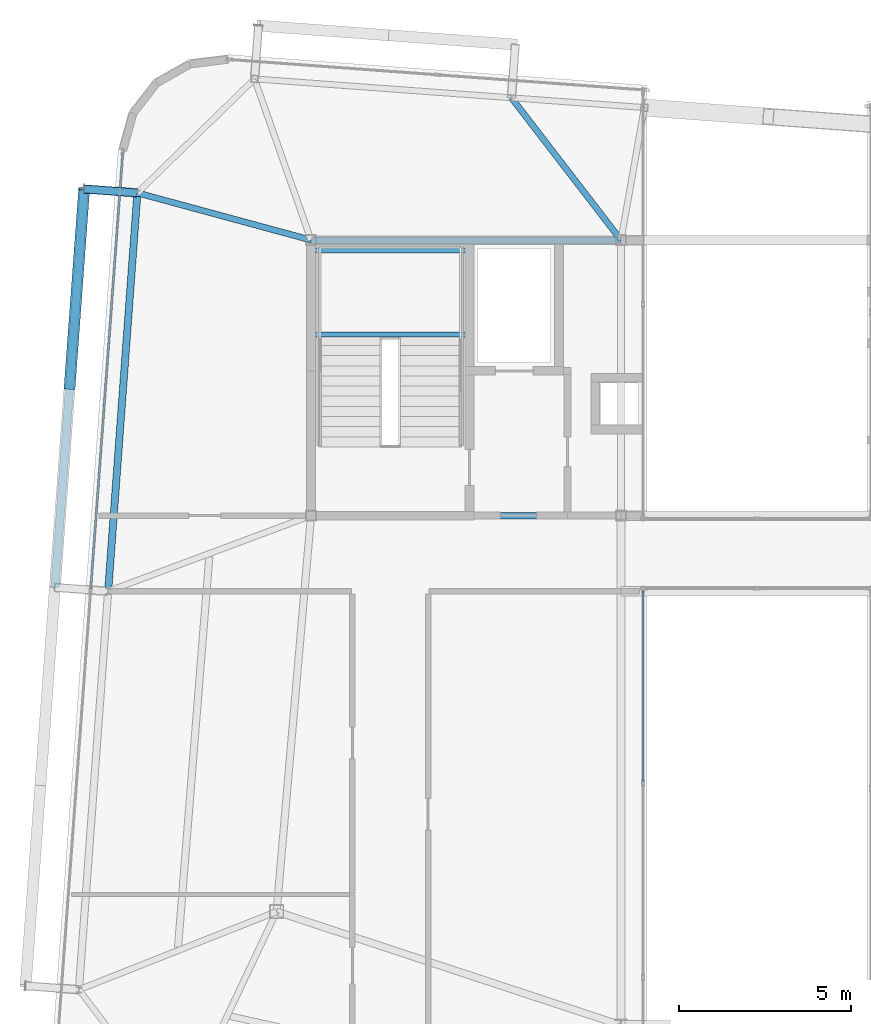
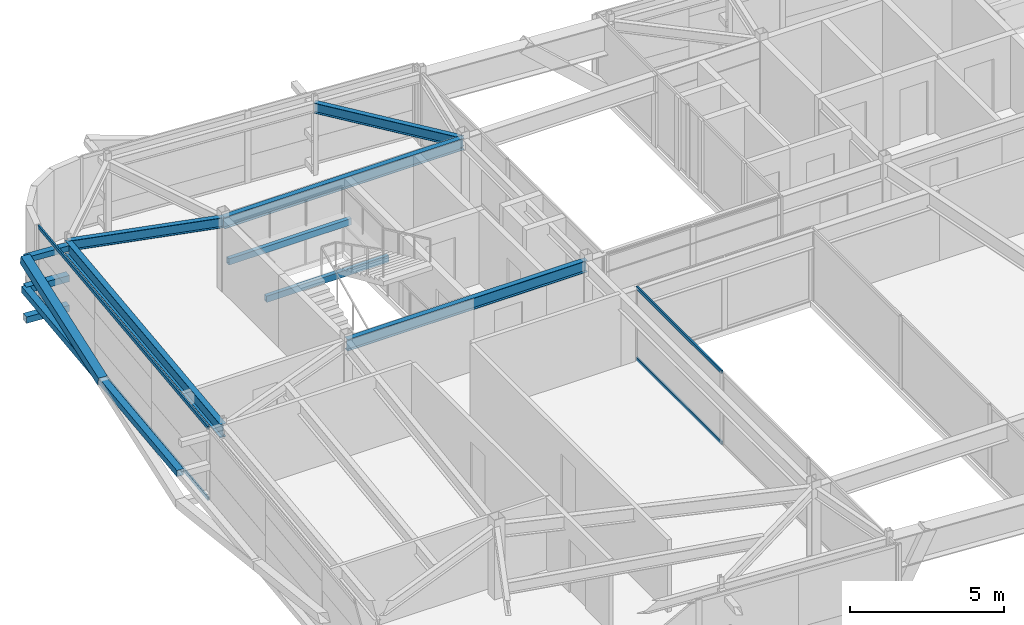
# One storey, part 16 of 40: 9 members, 7 beams, 2 elements without a shape of their own.
"""IFC4 building model written with IfcOpenShell, lengths in metres."""

from ifc_helpers import new_model, si_unit, direction, frame, origin, origin_2d, place, context, subcontext, project, spatial, hollow_rectangle, i_section, extrude, source, transform, mapped, material, layer, layer_set, material_profile, profile_set, type_object, element, aggregate, save


model = new_model("IFC4")

# Units and contexts
model_context = context("Model", 3, precision=1e-05, world=origin(), true_north=direction((0.0, 1.0)))
body_context = subcontext(model_context, "Body", "Model", "MODEL_VIEW")
ifc_project = project(units=[si_unit("LENGTHUNIT", "METRE"), si_unit("AREAUNIT", "SQUARE_METRE"), si_unit("VOLUMEUNIT", "CUBIC_METRE"), si_unit("PLANEANGLEUNIT", "RADIAN"), si_unit("MASSUNIT", "GRAM", prefix="KILO")], contexts=[model_context])

# Site, building, storey
site_placement = place(None, origin())
site = spatial("IfcSite", under=ifc_project, at=site_placement, CompositionType="ELEMENT")
building_placement = place(site_placement, origin())
building = spatial("IfcBuilding", under=site, at=building_placement, Name="Taldren Reach Tower", CompositionType="ELEMENT")
storey_placement = place(building_placement, frame((0.0, 0.0, 233.449951171875)))
storey = spatial("IfcBuildingStorey", under=building, at=storey_placement, Name="L71", CompositionType="ELEMENT", Elevation=233.449951171875)

# Beams
ifc_material_1 = material(Name="Steel Gr 350 (350PLUS)", Category="steel")
ifc_material_profile_1 = material_profile(ifc_material_1, i_section(OverallWidth=0.19091796875, OverallDepth=0.4599609375, WebThickness=0.010009765625, FlangeThickness=0.01611328125, at=origin_2d()), Name="460UB82.1")
ifc_profile_set_1 = profile_set([ifc_material_profile_1], Name="Steel Gr 350 (350PLUS)")
beam_type_1 = type_object("IfcBeamType", Name="BM-UB460A", PredefinedType="BEAM", material=ifc_profile_set_1)
shared_shape_1 = source(origin(), body_context, "Body", "SweptSolid", [
    extrude(i_section(OverallWidth=0.19091796875, OverallDepth=0.4599609375, WebThickness=0.010009765625, FlangeThickness=0.01611328125, at=origin_2d()), origin(), (0.0, 0.0, 1.0), 9.0),
])
for number, where, z_axis, x_axis, name in (
    (1, (19.0, 24.0, 2.64013671875), (1.0, 0.0, 0.0), (0.0, 1.0, 0.0), "Core-spine girder L71-SP01"),
    (2, (19.0, 32.0, 2.64013671875), (1.0, 0.0, 0.0), (0.0, 1.0, 0.0), "Core-spine girder L71-SP04"),
):
    element("IfcBeam", number, at=place(storey_placement, frame(where, z_axis=z_axis, x_axis=x_axis)), inside=storey, type_object=beam_type_1, Name=name, PredefinedType="BEAM", context=body_context, shape_type="MappedRepresentation", body=[
        mapped(shared_shape_1, transform((0.0, 0.0, 0.0), scale=1.0)),
    ])
ifc_material_profile_2 = material_profile(ifc_material_1, i_section(OverallWidth=0.208984375, OverallDepth=0.528076171875, WebThickness=0.009521484375, FlangeThickness=0.01318359375, at=origin_2d()), Name="530UB82.0")
ifc_profile_set_2 = profile_set([ifc_material_profile_2], Name="Steel Gr 350 (350PLUS)")
beam_type_2 = type_object("IfcBeamType", Name="SP-UB530B", PredefinedType="SPANDREL", material=ifc_profile_set_2)
shared_shape_2 = source(origin(), body_context, "Body", "SweptSolid", [
    extrude(i_section(OverallWidth=0.208984375, OverallDepth=0.528076171875, WebThickness=0.009521484375, FlangeThickness=0.01318359375, at=origin_2d()), origin(), (0.0, 0.0, 1.0), 11.60009765625),
])
beam_1_placement = place(storey_placement, frame((13.958251953125, 33.369140625, 2.60595703125), z_axis=(-0.073242167855, -0.997314185625, 0.0), x_axis=(0.997314185625, -0.073242167855, 0.0)))
element("IfcBeam", 3, at=beam_1_placement, inside=storey, type_object=beam_type_2, Name="Perimeter spandrel B5 W3-W2 L71", PredefinedType="SPANDREL", context=body_context, shape_type="MappedRepresentation", body=[
    mapped(shared_shape_2, transform((0.0, 0.0, 0.0), scale=1.0)),
])
ifc_material_profile_3 = material_profile(ifc_material_1, i_section(OverallWidth=0.177978515625, OverallDepth=0.406005859375, WebThickness=0.0078125, FlangeThickness=0.0126953125, at=origin_2d()), Name="410UB59.7")
ifc_profile_set_3 = profile_set([ifc_material_profile_3], Name="Steel Gr 350 (350PLUS)")
beam_type_3 = type_object("IfcBeamType", Name="BM-UB410", PredefinedType="BEAM", material=ifc_profile_set_3)
shared_shape_3 = source(origin(), body_context, "Body", "SweptSolid", [
    extrude(i_section(OverallWidth=0.177978515625, OverallDepth=0.406005859375, WebThickness=0.0078125, FlangeThickness=0.0126953125, at=origin_2d()), origin(), (0.0, 0.0, 1.0), 5.213623046875),
])
beam_2_placement = place(storey_placement, frame((28.0, 32.0, 2.6669921875), z_axis=(-0.61002980411, 0.792378468976, 0.0), x_axis=(-0.792378468976, -0.61002980411, 0.0)))
element("IfcBeam", 4, at=beam_2_placement, inside=storey, type_object=beam_type_3, Name="Primary floor girder B5-N2 L71", PredefinedType="BEAM", context=body_context, shape_type="MappedRepresentation", body=[
    mapped(shared_shape_3, transform((0.0, 0.0, 0.0), scale=1.0)),
])
shared_shape_4 = source(origin(), body_context, "Body", "SweptSolid", [
    extrude(i_section(OverallWidth=0.177978515625, OverallDepth=0.406005859375, WebThickness=0.0078125, FlangeThickness=0.0126953125, at=origin_2d()), origin(), (0.0, 0.0, 1.0), 5.224365234375),
])
beam_3_placement = place(storey_placement, frame((19.0, 32.0, 2.6669921875), z_axis=(-0.965049032336, 0.262069390022, 0.0), x_axis=(-0.262069390022, -0.965049032336, 0.0)))
element("IfcBeam", 5, at=beam_3_placement, inside=storey, type_object=beam_type_3, Name="Primary floor girder B5-W3 L71", PredefinedType="BEAM", context=body_context, shape_type="MappedRepresentation", body=[
    mapped(shared_shape_4, transform((0.0, 0.0, 0.0), scale=1.0)),
])

# Members
ifc_material_2 = material(Name="Steel Gr 450 (C450L0)", Category="steel")
ifc_material_profile_4 = material_profile(ifc_material_2, hollow_rectangle(XDim=0.219970703125, YDim=0.219970703125, WallThickness=0.00830078125, at=origin_2d()), Name="220x220x8.2SHS")
ifc_profile_set_4 = profile_set([ifc_material_profile_4], Name="Steel Gr 450 (C450L0)")
member_type_1 = type_object("IfcMemberType", Name="MB-TIE219", PredefinedType="STRUT", material=ifc_profile_set_4)
shared_shape_5 = source(origin(), body_context, "Body", "SweptSolid", [
    extrude(hollow_rectangle(XDim=0.219970703125, YDim=0.219970703125, WallThickness=0.00830078125, at=origin_2d()), origin(), (0.0, 0.0, 1.0), 1.5458984375),
])
member_1_placement = place(storey_placement, frame((13.9541015625, 33.369384765625, 2.590087890625), z_axis=(-0.997311530447, 0.073278313559, 0.0), x_axis=(-0.073278313559, -0.997311530447, 0.0)))
element("IfcMember", 6, at=member_1_placement, inside=storey, type_object=member_type_1, Name="Exoskeleton diaphragm tie strut B5-W3 L71", PredefinedType="STRUT", context=body_context, shape_type="MappedRepresentation", body=[
    mapped(shared_shape_5, transform((0.0, 0.0, 0.0), scale=1.0)),
])
ifc_material_3 = material(Name="Steel Gr 350 (C350L0)", Category="steel")
ifc_material_profile_5 = material_profile(ifc_material_3, hollow_rectangle(XDim=0.25, YDim=0.25, WallThickness=0.010009765625, at=origin_2d()), Name="250x250x10.0SHS")
ifc_profile_set_5 = profile_set([ifc_material_profile_5], Name="Steel Gr 350 (C350L0)")
member_type_2 = type_object("IfcMemberType", Name="MB-POST250", PredefinedType="POST", material=ifc_profile_set_5)
shared_shape_6 = source(origin(), body_context, "Body", "SweptSolid", [
    extrude(hollow_rectangle(XDim=0.25, YDim=0.25, WallThickness=0.010009765625, at=origin_2d()), origin(), (0.0, 0.0, 1.0), 11.60009765625),
])
member_2_placement = place(storey_placement, frame((11.562744140625, 21.913818359375, 1.405029296875), z_axis=(0.073242167855, 0.997314185625, 0.0), x_axis=(-0.997314185625, 0.073242167855, 0.0)))
element("IfcMember", 7, at=member_2_placement, inside=storey, type_object=member_type_2, Name="Exoskeleton mid-height ring chord B5-W2 L71", PredefinedType="POST", context=body_context, shape_type="MappedRepresentation", body=[
    mapped(shared_shape_6, transform((0.0, 0.0, 0.0), scale=1.0)),
])
shared_shape_7 = source(origin(), body_context, "Body", "SweptSolid", [
    extrude(hollow_rectangle(XDim=0.25, YDim=0.25, WallThickness=0.010009765625, at=origin_2d()), origin(), (0.0, 0.0, 1.0), 1.5458984375),
])
for number, where, z_axis, x_axis, name in (
    (8, (13.9541015625, 33.369384765625, 0.219970703125), (-0.997311530447, 0.073278313559, 0.0), (-0.073278313559, -0.997311530447, 0.0), "Exoskeleton base diaphragm tie strut B5-W3 L71"),
    (9, (13.9541015625, 33.369384765625, 1.405029296875), (-0.997311530447, 0.073278313559, 0.0), (-0.073278313559, -0.997311530447, 0.0), "Exoskeleton mid-tier diaphragm tie B5-W3 L71"),
):
    element("IfcMember", number, at=place(storey_placement, frame(where, z_axis=z_axis, x_axis=x_axis)), inside=storey, type_object=member_type_2, Name=name, PredefinedType="POST", context=body_context, shape_type="MappedRepresentation", body=[
        mapped(shared_shape_7, transform((0.0, 0.0, 0.0), scale=1.0)),
    ])
ifc_material_profile_6 = material_profile(ifc_material_2, hollow_rectangle(XDim=0.324951171875, YDim=0.324951171875, WallThickness=0.0126953125, at=origin_2d()), Name="325x325x12.7SHS")
ifc_profile_set_6 = profile_set([ifc_material_profile_6], Name="Steel Gr 450 (C450L0)")
member_type_3 = type_object("IfcMemberType", Name="MB-BR324", PredefinedType="BRACE", material=ifc_profile_set_6)
shared_shape_8 = source(origin(), body_context, "Body", "SweptSolid", [
    extrude(hollow_rectangle(XDim=0.324951171875, YDim=0.324951171875, WallThickness=0.0126953125, at=origin_2d()), origin(), (0.0, 0.0, 1.0), 5.919921875),
])
member_3_placement = place(storey_placement, frame((11.987548828125, 27.6982421875, 1.405029296875), z_axis=(0.071759614668, 0.977126753058, 0.200184580228), x_axis=(-0.997314185625, 0.073242167855, 0.0)))
element("IfcMember", 10, at=member_3_placement, inside=storey, type_object=member_type_3, Name="Exoskeleton Diagrid Brace B5-W2 L71", PredefinedType="BRACE", context=body_context, shape_type="MappedRepresentation", body=[
    mapped(shared_shape_8, transform((0.0, 0.0, 0.0), scale=1.0)),
])

# Curtain wall, members
ifc_material_4 = material(Name="Aluminium and Low-E Glass Unitised System", Category="aluminium")
ifc_layer = layer(ifc_material_4, 0.159912109375)
ifc_layer_set = layer_set([ifc_layer], Name="Aluminium and Low-E Glass Unitised System")
curtain_wall_type = type_object("IfcCurtainWallType", Name="CW-SYS-7", PredefinedType="NOTDEFINED", material=ifc_layer_set)
curtain_wall_1_placement = place(storey_placement, origin())
curtain_wall_1 = element("IfcCurtainWall", 11, at=curtain_wall_1_placement, inside=storey, type_object=curtain_wall_type, Name="Unitised curtain wall CW-L71-W", PredefinedType="NOTDEFINED")
ifc_material_5 = material(Name="Anodised Aluminium 6063-T6", Category="aluminium")
ifc_material_profile_7 = material_profile(ifc_material_5, hollow_rectangle(XDim=0.06005859375, YDim=0.135009765625, WallThickness=0.00341796875, at=origin_2d()), Name="ALU-135x60x3.5RHS")
ifc_profile_set_7 = profile_set([ifc_material_profile_7], Name="Anodised Aluminium 6063-T6")
member_type_4 = type_object("IfcMemberType", Name="CW-TRN-150", PredefinedType="USERDEFINED", material=ifc_profile_set_7)
shared_shape_9 = source(origin(), body_context, "Body", "SweptSolid", [
    extrude(hollow_rectangle(XDim=0.06005859375, YDim=0.135009765625, WallThickness=0.00341796875, at=origin_2d()), origin(), (0.0, 0.0, 1.0), 12.6875),
])
member_4_placement = place(storey_placement, frame((13.531982421875, 34.5283203125, 0.030029296875), z_axis=(-0.073237997916, -0.997314491854, 0.0), x_axis=(0.997314491854, -0.073237997916, 0.0)))
member_4 = element("IfcMember", 12, at=member_4_placement, type_object=member_type_4, Name="CW-7 transom 1.1", ObjectType="TRANSOM", PredefinedType="USERDEFINED", context=body_context, shape_type="MappedRepresentation", body=[
    mapped(shared_shape_9, transform((0.0, 0.0, 0.0), scale=1.0)),
])
member_5_placement = place(storey_placement, frame((13.531982421875, 34.5283203125, 2.840087890625), z_axis=(-0.073237997916, -0.997314491854, 0.0), x_axis=(0.997314491854, -0.073237997916, 0.0)))
member_5 = element("IfcMember", 13, at=member_5_placement, type_object=member_type_4, Name="CW-7 transom 1.2", ObjectType="TRANSOM", PredefinedType="USERDEFINED", context=body_context, shape_type="MappedRepresentation", body=[
    mapped(shared_shape_9, transform((0.0, 0.0, 0.0), scale=1.0)),
])
aggregate(curtain_wall_1, [member_4, member_5])

curtain_wall_2_placement = place(storey_placement, origin())
curtain_wall_2 = element("IfcCurtainWall", 14, at=curtain_wall_2_placement, inside=storey, type_object=curtain_wall_type, Name="Unitised curtain wall CW7-L71-PSW", PredefinedType="NOTDEFINED")
shared_shape_10 = source(origin(), body_context, "Body", "SweptSolid", [
    extrude(hollow_rectangle(XDim=0.06005859375, YDim=0.135009765625, WallThickness=0.00341796875, at=origin_2d()), origin(), (0.0, 0.0, 1.0), 5.531005859375),
])
member_6_placement = place(storey_placement, frame((28.639892578125, 16.27392578125, 0.030029296875), z_axis=(0.0, 1.0, 0.0), x_axis=(-1.0, 0.0, 0.0)))
member_6 = element("IfcMember", 15, at=member_6_placement, type_object=member_type_4, Name="CW-7 transom 3.1", ObjectType="TRANSOM", PredefinedType="USERDEFINED", context=body_context, shape_type="MappedRepresentation", body=[
    mapped(shared_shape_10, transform((0.0, 0.0, 0.0), scale=1.0)),
])
member_7_placement = place(storey_placement, frame((28.639892578125, 16.27392578125, 2.840087890625), z_axis=(0.0, 1.0, 0.0), x_axis=(-1.0, 0.0, 0.0)))
member_7 = element("IfcMember", 16, at=member_7_placement, type_object=member_type_4, Name="CW-7 transom 3.2", ObjectType="TRANSOM", PredefinedType="USERDEFINED", context=body_context, shape_type="MappedRepresentation", body=[
    mapped(shared_shape_10, transform((0.0, 0.0, 0.0), scale=1.0)),
])
aggregate(curtain_wall_2, [member_6, member_7])

# Beams
ifc_material_profile_8 = material_profile(ifc_material_3, hollow_rectangle(XDim=0.14990234375, YDim=0.25, WallThickness=0.009033203125, at=origin_2d()), Name="250x150x9.0RHS")
ifc_profile_set_8 = profile_set([ifc_material_profile_8], Name="Steel Gr 350 (C350L0)")
beam_type_4 = type_object("IfcBeamType", Name="LN-RHS250", PredefinedType="LINTEL", material=ifc_profile_set_8)
shared_shape_11 = source(origin(), body_context, "Body", "SweptSolid", [
    extrude(hollow_rectangle(XDim=0.14990234375, YDim=0.25, WallThickness=0.009033203125, at=origin_2d()), origin(), (0.0, 0.0, 1.0), 4.60009765625),
])
for number, where, z_axis, x_axis, name in (
    (17, (19.0, 29.2548828125, 1.27001953125), (1.0, 0.0, 0.0), (0.0, 1.0, 0.0), "Stair half-landing support beam ST1-L71-1"),
    (18, (19.0, 31.699951171875, 1.27001953125), (1.0, 0.0, 0.0), (0.0, 1.0, 0.0), "Stair half-landing support beam ST1-L71-2"),
):
    element("IfcBeam", number, at=place(storey_placement, frame(where, z_axis=z_axis, x_axis=x_axis)), inside=storey, type_object=beam_type_4, Name=name, PredefinedType="LINTEL", context=body_context, shape_type="MappedRepresentation", body=[
        mapped(shared_shape_11, transform((0.0, 0.0, 0.0), scale=1.0)),
    ])

save(model, "model.ifc")
